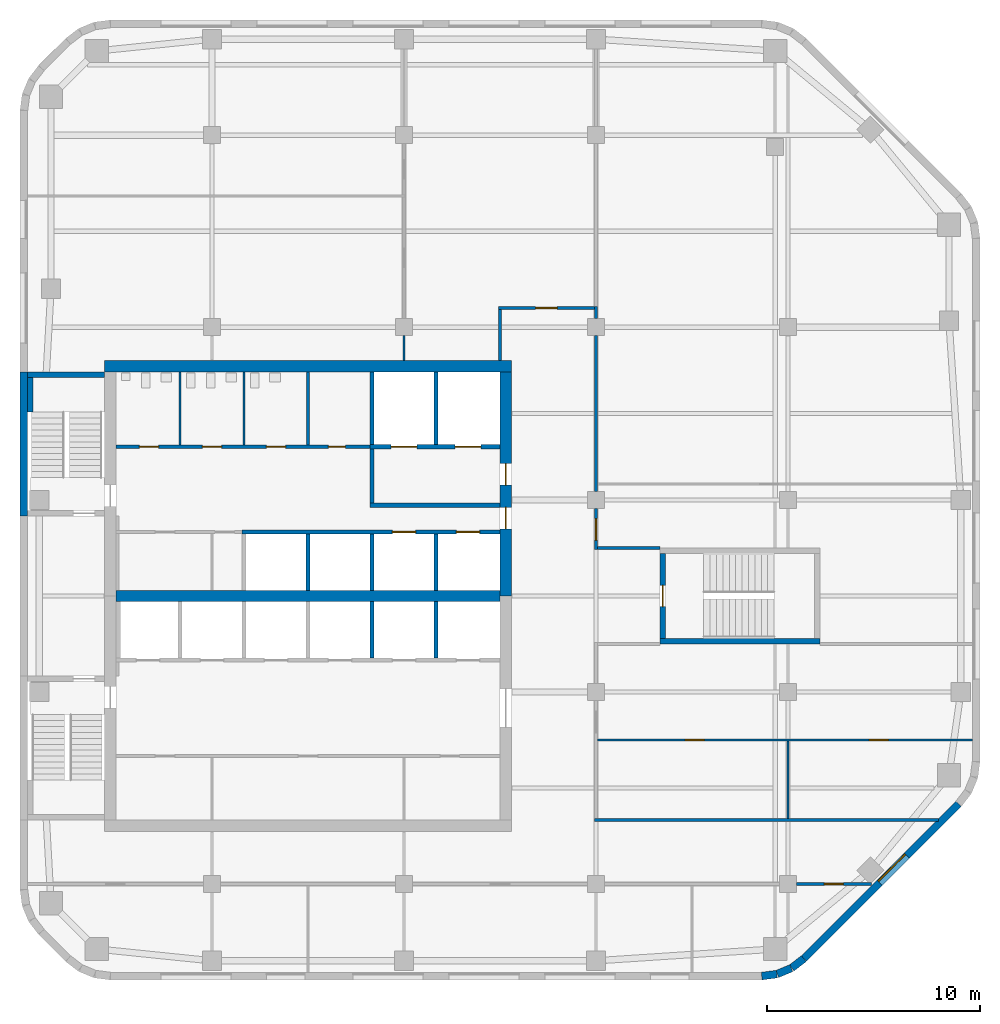
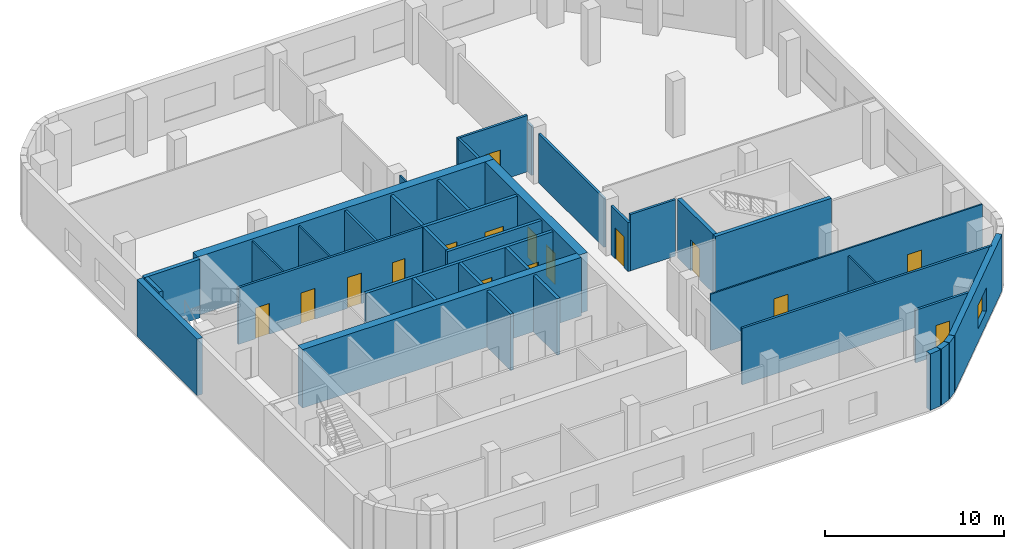
# One storey, part 4 of 7: 38 walls, 16 doors, 1 window, 17 openings.
"""IFC4 building model written with IfcOpenShell, lengths in metres."""

import ifcopenshell
import ifcopenshell.guid

model = None  # the IFC model being written
_history = None  # IfcOwnerHistory: only IFC2X3 demands one
_inside = {}  # id of a spatial element -> (the spatial element, [elements in it])
_under = {}  # id of a project, library or spatial element -> (it, [spatial elements below it])
_declared = {}  # id of a project -> (the project, [libraries it declares])
_typed = {}  # id of a type object -> (the type object, [elements of that type])
_made_of = {}  # id of a material, layer set ... -> (it, [elements and type objects made of it])


def new_model(schema):
    """Start an empty IFC model of exactly this schema.

    Asked for "IFC4X3", IfcOpenShell would pick the latest addendum, in which some entities
    have other attributes; the version numbers below select the first issue.
    IFC2X3 requires an IfcOwnerHistory on every rooted entity: one is made here for all.
    """
    global model, _history
    if schema == "IFC4X3":
        model = ifcopenshell.file(schema_version=(4, 3, 0, 0))
    else:
        model = ifcopenshell.file(schema=schema)
    _inside.clear()
    _under.clear()
    _declared.clear()
    _typed.clear()
    _made_of.clear()
    _history = None
    if model.schema == "IFC2X3":
        org = make("IfcOrganization", Name="unknown")
        user = make(
            "IfcPersonAndOrganization",
            ThePerson=make("IfcPerson", FamilyName="unknown"),
            TheOrganization=org,
        )
        app = make(
            "IfcApplication",
            ApplicationDeveloper=org,
            Version="unknown",
            ApplicationFullName="unknown",
            ApplicationIdentifier="unknown",
        )
        _history = make(
            "IfcOwnerHistory",
            OwningUser=user,
            OwningApplication=app,
            ChangeAction="ADDED",
            CreationDate=0,
        )
    return model


def make(cls, **values):
    """One entity of the class cls with the attributes given. An attribute that is None is left unset."""
    return model.create_entity(
        cls, **{name: value for name, value in values.items() if value is not None}
    )


def rooted(cls, **values):
    """An entity with a GlobalId (a new one), such as an element, a storey or a relation."""
    return make(cls, GlobalId=ifcopenshell.guid.new(), OwnerHistory=_history, **values)


def si_unit(unit_type, name, prefix=None):
    """IfcSIUnit, for example si_unit("LENGTHUNIT", "METRE", prefix="MILLI")."""
    return make("IfcSIUnit", UnitType=unit_type, Prefix=prefix, Name=name)


def assignment(units):
    """IfcUnitAssignment: the units of a project."""
    return None if units is None else make("IfcUnitAssignment", Units=units)


def point(xyz):
    """IfcCartesianPoint."""
    return None if xyz is None else make("IfcCartesianPoint", Coordinates=xyz)


def direction(xyz):
    """IfcDirection."""
    return None if xyz is None else make("IfcDirection", DirectionRatios=xyz)


def frame(location, z_axis=None, x_axis=None):
    """IfcAxis2Placement3D, a coordinate frame: its origin and axes. An axis left out is left unset."""
    return make(
        "IfcAxis2Placement3D",
        Location=point(location),
        Axis=direction(z_axis),
        RefDirection=direction(x_axis),
    )


def frame_2d(location, x_axis=None):
    """IfcAxis2Placement2D, a coordinate frame in the plane: its origin and x axis."""
    return make(
        "IfcAxis2Placement2D", Location=point(location), RefDirection=direction(x_axis)
    )


def origin():
    """The frame at (0, 0, 0) with its axes left unset."""
    return frame((0.0, 0.0, 0.0))


def place(relative_to, where):
    """IfcLocalPlacement: puts the frame where relative to a parent placement (None: the world)."""
    return make(
        "IfcLocalPlacement", PlacementRelTo=relative_to, RelativePlacement=where
    )


def context(
    kind, dimensions, precision=None, world=None, true_north=None, identifier=None
):
    """IfcGeometricRepresentationContext, for example the 3D "Model" context."""
    return make(
        "IfcGeometricRepresentationContext",
        ContextIdentifier=identifier,
        ContextType=kind,
        CoordinateSpaceDimension=dimensions,
        Precision=precision,
        WorldCoordinateSystem=world,
        TrueNorth=true_north,
    )


def subcontext(parent, identifier, kind, view, scale=None):
    """IfcGeometricRepresentationSubContext, for example "Body" below "Model"."""
    return make(
        "IfcGeometricRepresentationSubContext",
        ContextIdentifier=identifier,
        ContextType=kind,
        ParentContext=parent,
        TargetScale=scale,
        TargetView=view,
    )


def project(units=None, contexts=None):
    """IfcProject with its units and contexts."""
    return rooted(
        "IfcProject",
        Name="project",
        RepresentationContexts=contexts,
        UnitsInContext=assignment(units),
    )


def spatial(cls, under=None, at=None, **own):
    """A site, building, storey or space (cls), placed at a placement, below another one or the project."""
    s = rooted(cls, ObjectPlacement=at, **own)
    if under is not None:
        _under.setdefault(under.id(), (under, []))[1].append(s)
    return s


def profile(cls, at=None, kind="AREA", **sizes):
    """A parametric profile (cls). Its sizes go by their IFC names, for example OverallWidth=200.0."""
    return make(cls, ProfileType=kind, Position=at, **sizes)


def rectangle(**sizes):
    """IfcRectangleProfileDef."""
    return profile("IfcRectangleProfileDef", **sizes)


def extrude(swept, where, along, depth):
    """IfcExtrudedAreaSolid: the profile swept, set in the frame where, extruded along a direction by depth."""
    return make(
        "IfcExtrudedAreaSolid",
        SweptArea=swept,
        Position=where,
        ExtrudedDirection=direction(along),
        Depth=depth,
    )


def shape(context_of_items, identifier, shape_type, items):
    """IfcShapeRepresentation: the items that make up one representation, for example the "Body"."""
    return make(
        "IfcShapeRepresentation",
        ContextOfItems=context_of_items,
        RepresentationIdentifier=identifier,
        RepresentationType=shape_type,
        Items=items,
    )


def material(Name=None, Category=None):
    """IfcMaterial."""
    return make("IfcMaterial", Name=Name, Category=Category)


def layer(
    of_material, thickness, ventilated=None, Name=None, Category=None, Priority=None
):
    """IfcMaterialLayer: one layer of a wall or slab, of a material (None: an air gap)."""
    return make(
        "IfcMaterialLayer",
        Material=of_material,
        LayerThickness=thickness,
        IsVentilated=ventilated,
        Name=Name,
        Category=Category,
        Priority=Priority,
    )


def layer_set(layers, Name=None):
    """IfcMaterialLayerSet."""
    return make("IfcMaterialLayerSet", MaterialLayers=layers, LayerSetName=Name)


def made_of(thing, what):
    """Note that an element or type object is made of a material, layer set ...; save() writes the relation."""
    if what is not None:
        _made_of.setdefault(what.id(), (what, []))[1].append(thing)
    return thing


def type_object(cls, material=None, **own):
    """A type object (cls), such as IfcWallType, which elements share."""
    return made_of(rooted(cls, **own), material)


def element(
    cls,
    number,
    at=None,
    inside=None,
    cuts=None,
    type_object=None,
    material=None,
    context=None,
    identifier="Body",
    shape_type=None,
    held_by="IfcProductDefinitionShape",
    body=None,
    shapes=None,
    **own,
):
    """One element of the class cls, such as IfcWall. Its Tag is "e" and its number.

    at: its placement. inside: the storey or other place that contains it. cuts: it is an
    opening in that element (IfcRelVoidsElement). A single representation is given by context,
    identifier, shape_type and body (its items); several are given by shapes. held_by: the class
    of the entity that holds the representations. save() writes the other relations.
    """
    e = rooted(cls, Tag="e%d" % number, ObjectPlacement=at, **own)
    if body is not None:
        shapes = [shape(context, identifier, shape_type, body)]
    if shapes is not None:
        e.Representation = make(held_by, Representations=shapes)
    if inside is not None:
        _inside.setdefault(inside.id(), (inside, []))[1].append(e)
    if cuts is not None:
        rooted(
            "IfcRelVoidsElement", RelatingBuildingElement=cuts, RelatedOpeningElement=e
        )
    if type_object is not None:
        _typed.setdefault(type_object.id(), (type_object, []))[1].append(e)
    return made_of(e, material)


def fill(opening, filler):
    """IfcRelFillsElement: the door or window that sits in an opening."""
    return rooted(
        "IfcRelFillsElement",
        RelatingOpeningElement=opening,
        RelatedBuildingElement=filler,
    )


def aggregate(whole, parts):
    """IfcRelAggregates: a whole, such as a stair, and the parts it consists of."""
    return rooted("IfcRelAggregates", RelatingObject=whole, RelatedObjects=parts)


def save(model, path):
    """Write the relations noted so far, then the file.

    IfcRelAggregates (storeys below a building ...), IfcRelContainedInSpatialStructure (elements
    in a storey), IfcRelDefinesByType, IfcRelAssociatesMaterial and IfcRelDeclares: one each for
    every whole, place, type object, material and project.
    """
    for whole, parts in _under.values():
        aggregate(whole, parts)
    for where, things in _inside.values():
        rooted(
            "IfcRelContainedInSpatialStructure",
            RelatedElements=things,
            RelatingStructure=where,
        )
    for kind, things in _typed.values():
        rooted("IfcRelDefinesByType", RelatedObjects=things, RelatingType=kind)
    for what, things in _made_of.values():
        rooted("IfcRelAssociatesMaterial", RelatedObjects=things, RelatingMaterial=what)
    for by, libraries in _declared.values():
        rooted("IfcRelDeclares", RelatingContext=by, RelatedDefinitions=libraries)
    model.write(path)


model = new_model("IFC4")

# Units and contexts
model_context = context("Model", 3, precision=1e-05, world=origin(), true_north=direction((0.0, 1.0)))
body_context = subcontext(model_context, "Body", "Model", "MODEL_VIEW")
ifc_project = project(units=[si_unit("LENGTHUNIT", "METRE"), si_unit("AREAUNIT", "SQUARE_METRE"), si_unit("VOLUMEUNIT", "CUBIC_METRE"), si_unit("PLANEANGLEUNIT", "RADIAN"), si_unit("MASSUNIT", "GRAM", prefix="KILO")], contexts=[model_context])

# Site, building, storey
site_placement = place(None, origin())
site = spatial("IfcSite", under=ifc_project, at=site_placement, CompositionType="ELEMENT")
building_placement = place(site_placement, origin())
building = spatial("IfcBuilding", under=site, at=building_placement, Name="Cinnabar Reach Civic Tower", CompositionType="ELEMENT")
storey_placement = place(building_placement, frame((0.0, 0.0, 218.0)))
storey = spatial("IfcBuildingStorey", under=building, at=storey_placement, Name="L52", CompositionType="ELEMENT", Elevation=218.0)

# Walls
ifc_material_1 = material(Name="Facing brick with insulated backing", Category="masonry")
ifc_layer_1 = layer(ifc_material_1, 0.36)
ifc_layer_set_1 = layer_set([ifc_layer_1], Name="Brick corner wall")
wall_type_1 = type_object("IfcWallType", Name="Brick corner wall", PredefinedType="STANDARD", material=ifc_layer_set_1)
for number, where, z_axis, x_axis, name in (
    (1, (34.7686, 13.683, 0.0), (0.0, 0.0, 1.0), (0.99144092581, 0.13055608231, 0.0), "Brick corner wall"),
    (2, (35.4973, 13.7819, 0.0), (0.0, 0.0, 1.0), (0.923871547278, 0.382702709855, 0.0), "Brick corner wall"),
):
    element("IfcWall", number, at=place(storey_placement, frame(where, z_axis=z_axis, x_axis=x_axis)), inside=storey, type_object=wall_type_1, Name=name, PredefinedType="STANDARD", context=body_context, shape_type="SweptSolid", body=[
        extrude(rectangle(XDim=0.7131, YDim=0.36, at=frame_2d((0.3565, 0.0))), origin(), (0.0, 0.0, 1.0), 3.85),
    ])
wall_1_placement = place(storey_placement, frame((36.1755, 14.066, 0.0), z_axis=(0.0, 0.0, 1.0), x_axis=(0.793321924995, 0.608802368033, 0.0)))
element("IfcWall", 3, at=wall_1_placement, inside=storey, type_object=wall_type_1, Name="Brick corner wall", PredefinedType="STANDARD", context=body_context, shape_type="SweptSolid", body=[
    extrude(rectangle(XDim=0.7132, YDim=0.36, at=frame_2d((0.3566, 0.0))), origin(), (0.0, 0.0, 1.0), 3.85),
])

# Wall, opening, window
ifc_layer_2 = layer(ifc_material_1, 0.36)
ifc_layer_set_2 = layer_set([ifc_layer_2], Name="Brick pier and spandrel wall")
wall_type_2 = type_object("IfcWallType", Name="Brick pier and spandrel wall", PredefinedType="STANDARD", material=ifc_layer_set_2)
wall_2_placement = place(storey_placement, frame((36.7514, 14.506, 0.0), z_axis=(0.0, 0.0, 1.0), x_axis=(0.707106781187, 0.707106781187, 0.0)))
wall_2 = element("IfcWall", 4, at=wall_2_placement, inside=storey, type_object=wall_type_2, Name="Brick facade wall", PredefinedType="STANDARD", context=body_context, shape_type="SweptSolid", body=[
    extrude(rectangle(XDim=10.2426, YDim=0.36, at=frame_2d((5.1213, 0.0))), origin(), (0.0, 0.0, 1.0), 3.85),
])
opening_1_placement = place(wall_2_placement, frame((5.0213, 0.0, 0.9)))
opening_1 = element("IfcOpeningElement", 5, at=opening_1_placement, cuts=wall_2, Name="Opening W2066", PredefinedType="OPENING", context=body_context, shape_type="SweptSolid", body=[
    extrude(rectangle(XDim=1.8, YDim=1.6, at=frame_2d((0.9, 0.8))), frame((0.0, 0.19, 0.0), z_axis=(0.0, -1.0, 0.0), x_axis=(1.0, 0.0, 0.0)), (0.0, 0.0, 1.0), 0.38),
])
ifc_material_2 = material(Name="Clear double glazing in aluminium frame", Category="aluminium")
window_type = type_object("IfcWindowType", Name="Deep-set window D", PartitioningType="SINGLE_PANEL", PredefinedType="WINDOW", material=ifc_material_2)
window_placement = place(opening_1_placement, origin())
window = element("IfcWindow", 6, at=window_placement, inside=storey, type_object=window_type, Name="Window southeast face", OverallHeight=1.6, OverallWidth=1.8, PartitioningType="SINGLE_PANEL", PredefinedType="WINDOW", context=body_context, shape_type="SweptSolid", body=[
    extrude(rectangle(XDim=1.8, YDim=1.6, at=frame_2d((0.9, 0.8))), frame((0.0, 0.13, 0.0), z_axis=(0.0, -1.0, 0.0), x_axis=(1.0, 0.0, 0.0)), (0.0, 0.0, 1.0), 0.06),
])
fill(opening_1, window)

# Walls
wall_3_placement = place(storey_placement, frame((0.18, 42.0, 0.0), z_axis=(0.0, 0.0, 1.0), x_axis=(0.0, -1.0, 0.0)))
element("IfcWall", 7, at=wall_3_placement, inside=storey, type_object=wall_type_2, Name="Brick facade wall", PredefinedType="STANDARD", context=body_context, shape_type="SweptSolid", body=[
    extrude(rectangle(XDim=6.75, YDim=0.36, at=frame_2d((3.375, 0.0))), origin(), (0.0, 0.0, 1.0), 3.85),
])
ifc_material_3 = material(Name="Concrete C60", Category="concrete")
ifc_layer_3 = layer(ifc_material_3, 0.5)
ifc_layer_set_3 = layer_set([ifc_layer_3], Name="Core wall 500 EI 180")
wall_type_3 = type_object("IfcWallType", Name="Core wall 500 EI 180", PredefinedType="SOLIDWALL", material=ifc_layer_set_3)
wall_4_placement = place(storey_placement, frame((4.5, 31.5, 0.0), z_axis=(0.0, 0.0, 1.0), x_axis=(1.0, 0.0, 0.0)))
element("IfcWall", 8, at=wall_4_placement, inside=storey, type_object=wall_type_3, Name="Core spine wall T1 L52", PredefinedType="SOLIDWALL", context=body_context, shape_type="SweptSolid", body=[
    extrude(rectangle(XDim=18.0, YDim=0.5, at=frame_2d((9.0, 0.0))), origin(), (0.0, 0.0, 1.0), 4.0),
])
ifc_layer_4 = layer(ifc_material_3, 0.55)
ifc_layer_set_4 = layer_set([ifc_layer_4], Name="Core wall 550 EI 180")
wall_type_4 = type_object("IfcWallType", Name="Core wall 550 EI 180", PredefinedType="SOLIDWALL", material=ifc_layer_set_4)
wall_5_placement = place(storey_placement, frame((23.05, 42.275, 0.0), z_axis=(0.0, 0.0, 1.0), x_axis=(-1.0, 0.0, 0.0)))
element("IfcWall", 9, at=wall_5_placement, inside=storey, type_object=wall_type_4, Name="Core wall T1 L52 N", PredefinedType="SOLIDWALL", context=body_context, shape_type="SweptSolid", body=[
    extrude(rectangle(XDim=19.1, YDim=0.55, at=frame_2d((9.55, 0.0))), origin(), (0.0, 0.0, 1.0), 4.0),
])

# Wall, openings, doors
wall_6_placement = place(storey_placement, frame((22.775, 31.5, 0.0), z_axis=(0.0, 0.0, 1.0), x_axis=(0.0, 1.0, 0.0)))
wall_6 = element("IfcWall", 10, at=wall_6_placement, inside=storey, type_object=wall_type_4, Name="Core wall T1 L52 E2", PredefinedType="SOLIDWALL", context=body_context, shape_type="SweptSolid", body=[
    extrude(rectangle(XDim=10.5, YDim=0.55, at=frame_2d((5.25, 0.0))), origin(), (0.0, 0.0, 1.0), 4.0),
])
opening_2_placement = place(wall_6_placement, frame((3.15, 0.0, 0.0)))
opening_2 = element("IfcOpeningElement", 11, at=opening_2_placement, cuts=wall_6, Name="Opening D5124", PredefinedType="OPENING", context=body_context, shape_type="SweptSolid", body=[
    extrude(rectangle(XDim=1.0, YDim=2.1, at=frame_2d((0.5, 1.05))), frame((0.0, 0.285, 0.0), z_axis=(0.0, -1.0, 0.0), x_axis=(1.0, 0.0, 0.0)), (0.0, 0.0, 1.0), 0.57),
])
opening_3_placement = place(wall_6_placement, frame((5.2, 0.0, 0.0)))
opening_3 = element("IfcOpeningElement", 12, at=opening_3_placement, cuts=wall_6, Name="Opening D5125", PredefinedType="OPENING", context=body_context, shape_type="SweptSolid", body=[
    extrude(rectangle(XDim=1.0, YDim=2.1, at=frame_2d((0.5, 1.05))), frame((0.0, 0.285, 0.0), z_axis=(0.0, -1.0, 0.0), x_axis=(1.0, 0.0, 0.0)), (0.0, 0.0, 1.0), 0.57),
])
ifc_material_4 = material(Name="Timber door leaf in steel frame", Category="steel")
door_type_1 = type_object("IfcDoorType", Name="Firefighting lobby door 1000 x 2100 T1", OperationType="SINGLE_SWING_LEFT", PredefinedType="DOOR", material=ifc_material_4)
door_1_placement = place(opening_3_placement, origin())
door_1 = element("IfcDoor", 13, at=door_1_placement, inside=storey, type_object=door_type_1, Name="Door D5125", OperationType="SINGLE_SWING_RIGHT", OverallHeight=2.1, OverallWidth=1.0, PredefinedType="DOOR", context=body_context, shape_type="SweptSolid", body=[
    extrude(rectangle(XDim=1.0, YDim=2.1, at=frame_2d((0.5, 1.05))), frame((0.0, 0.025, 0.0), z_axis=(0.0, -1.0, 0.0), x_axis=(1.0, 0.0, 0.0)), (0.0, 0.0, 1.0), 0.05),
])
fill(opening_3, door_1)
door_type_2 = type_object("IfcDoorType", Name="Single swing door 1000 x 2100 T1", OperationType="SINGLE_SWING_LEFT", PredefinedType="DOOR", material=ifc_material_4)
door_2_placement = place(opening_2_placement, origin())
door_2 = element("IfcDoor", 14, at=door_2_placement, inside=storey, type_object=door_type_2, Name="Door D5124", OperationType="SINGLE_SWING_RIGHT", OverallHeight=2.1, OverallWidth=1.0, PredefinedType="DOOR", context=body_context, shape_type="SweptSolid", body=[
    extrude(rectangle(XDim=1.0, YDim=2.1, at=frame_2d((0.5, 1.05))), frame((0.0, 0.025, 0.0), z_axis=(0.0, -1.0, 0.0), x_axis=(1.0, 0.0, 0.0)), (0.0, 0.0, 1.0), 0.05),
])
fill(opening_2, door_2)

# Wall, opening, door
ifc_material_5 = material(Name="Gypsum board on steel studs, double layer", Category="steel")
ifc_layer_5 = layer(ifc_material_5, 0.15)
ifc_layer_set_5 = layer_set([ifc_layer_5], Name="Corridor wall 150 T1")
wall_type_5 = type_object("IfcWallType", Name="Corridor wall 150 T1", PredefinedType="PARTITIONING", material=ifc_layer_set_5)
wall_7_placement = place(storey_placement, frame((36.4, 18.0, 0.0), z_axis=(0.0, 0.0, 1.0), x_axis=(1.0, 0.0, 0.0)))
wall_7 = element("IfcWall", 15, at=wall_7_placement, inside=storey, type_object=wall_type_5, Name="Corridor wall 18", PredefinedType="PARTITIONING", context=body_context, shape_type="SweptSolid", body=[
    extrude(rectangle(XDim=3.516, YDim=0.15, at=frame_2d((1.758, 0.0))), origin(), (0.0, 0.0, 1.0), 3.602),
])
opening_4_placement = place(wall_7_placement, frame((1.3, 0.0, 0.0)))
opening_4 = element("IfcOpeningElement", 16, at=opening_4_placement, cuts=wall_7, Name="Opening D5143", PredefinedType="OPENING", context=body_context, shape_type="SweptSolid", body=[
    extrude(rectangle(XDim=0.9, YDim=2.1, at=frame_2d((0.45, 1.05))), frame((0.0, 0.085, 0.0), z_axis=(0.0, -1.0, 0.0), x_axis=(1.0, 0.0, 0.0)), (0.0, 0.0, 1.0), 0.17),
])
door_type_3 = type_object("IfcDoorType", Name="Single swing door 900 x 2100 corridor T1", OperationType="SINGLE_SWING_LEFT", PredefinedType="DOOR", material=ifc_material_4)
door_3_placement = place(opening_4_placement, frame((0.9, 0.0, 0.0), z_axis=(0.0, 0.0, 1.0), x_axis=(-1.0, 0.0, 0.0)))
door_3 = element("IfcDoor", 17, at=door_3_placement, inside=storey, type_object=door_type_3, Name="Door D5143", OperationType="SINGLE_SWING_RIGHT", OverallHeight=2.1, OverallWidth=0.9, PredefinedType="DOOR", context=body_context, shape_type="SweptSolid", body=[
    extrude(rectangle(XDim=0.9, YDim=2.1, at=frame_2d((0.45, 1.05))), frame((0.0, 0.025, 0.0), z_axis=(0.0, -1.0, 0.0), x_axis=(1.0, 0.0, 0.0)), (0.0, 0.0, 1.0), 0.05),
])
fill(opening_4, door_3)

# Wall
wall_8_placement = place(storey_placement, frame((26.925, 21.0, 0.0), z_axis=(0.0, 0.0, 1.0), x_axis=(1.0, 0.0, 0.0)))
element("IfcWall", 18, at=wall_8_placement, inside=storey, type_object=wall_type_5, Name="Corridor wall 24", PredefinedType="PARTITIONING", context=body_context, shape_type="SweptSolid", body=[
    extrude(rectangle(XDim=16.1409, YDim=0.15, at=frame_2d((8.0704, 0.0))), origin(), (0.0, 0.0, 1.0), 3.85),
])

# Wall, openings, doors
wall_9_placement = place(storey_placement, frame((4.5, 38.5, 0.0), z_axis=(0.0, 0.0, 1.0), x_axis=(1.0, 0.0, 0.0)))
wall_9 = element("IfcWall", 19, at=wall_9_placement, inside=storey, type_object=wall_type_5, Name="Corridor wall 25", PredefinedType="PARTITIONING", context=body_context, shape_type="SweptSolid", body=[
    extrude(rectangle(XDim=11.9, YDim=0.15, at=frame_2d((5.95, 0.0))), origin(), (0.0, 0.0, 1.0), 3.85),
])
opening_5_placement = place(wall_9_placement, frame((1.1, 0.0, 0.0)))
opening_5 = element("IfcOpeningElement", 20, at=opening_5_placement, cuts=wall_9, Name="Opening D5132", PredefinedType="OPENING", context=body_context, shape_type="SweptSolid", body=[
    extrude(rectangle(XDim=0.9, YDim=2.1, at=frame_2d((0.45, 1.05))), frame((0.0, 0.085, 0.0), z_axis=(0.0, -1.0, 0.0), x_axis=(1.0, 0.0, 0.0)), (0.0, 0.0, 1.0), 0.17),
])
opening_6_placement = place(wall_9_placement, frame((4.05, 0.0, 0.0)))
opening_6 = element("IfcOpeningElement", 21, at=opening_6_placement, cuts=wall_9, Name="Opening D5133", PredefinedType="OPENING", context=body_context, shape_type="SweptSolid", body=[
    extrude(rectangle(XDim=0.9, YDim=2.1, at=frame_2d((0.45, 1.05))), frame((0.0, 0.085, 0.0), z_axis=(0.0, -1.0, 0.0), x_axis=(1.0, 0.0, 0.0)), (0.0, 0.0, 1.0), 0.17),
])
opening_7_placement = place(wall_9_placement, frame((7.05, 0.0, 0.0)))
opening_7 = element("IfcOpeningElement", 22, at=opening_7_placement, cuts=wall_9, Name="Opening D5134", PredefinedType="OPENING", context=body_context, shape_type="SweptSolid", body=[
    extrude(rectangle(XDim=0.9, YDim=2.1, at=frame_2d((0.45, 1.05))), frame((0.0, 0.085, 0.0), z_axis=(0.0, -1.0, 0.0), x_axis=(1.0, 0.0, 0.0)), (0.0, 0.0, 1.0), 0.17),
])
opening_8_placement = place(wall_9_placement, frame((9.95, 0.0, 0.0)))
opening_8 = element("IfcOpeningElement", 23, at=opening_8_placement, cuts=wall_9, Name="Opening D5135", PredefinedType="OPENING", context=body_context, shape_type="SweptSolid", body=[
    extrude(rectangle(XDim=0.8, YDim=2.1, at=frame_2d((0.4, 1.05))), frame((0.0, 0.085, 0.0), z_axis=(0.0, -1.0, 0.0), x_axis=(1.0, 0.0, 0.0)), (0.0, 0.0, 1.0), 0.17),
])
door_type_4 = type_object("IfcDoorType", Name="Riser access door 800 x 2100 T1", OperationType="SINGLE_SWING_LEFT", PredefinedType="DOOR", material=ifc_material_4)
door_4_placement = place(opening_8_placement, origin())
door_4 = element("IfcDoor", 24, at=door_4_placement, inside=storey, type_object=door_type_4, Name="Door D5135", OperationType="SINGLE_SWING_RIGHT", OverallHeight=2.1, OverallWidth=0.8, PredefinedType="DOOR", context=body_context, shape_type="SweptSolid", body=[
    extrude(rectangle(XDim=0.8, YDim=2.1, at=frame_2d((0.4, 1.05))), frame((0.0, 0.025, 0.0), z_axis=(0.0, -1.0, 0.0), x_axis=(1.0, 0.0, 0.0)), (0.0, 0.0, 1.0), 0.05),
])
fill(opening_8, door_4)
door_5_placement = place(opening_5_placement, origin())
door_5 = element("IfcDoor", 25, at=door_5_placement, inside=storey, type_object=door_type_3, Name="Door D5132", OperationType="SINGLE_SWING_LEFT", OverallHeight=2.1, OverallWidth=0.9, PredefinedType="DOOR", context=body_context, shape_type="SweptSolid", body=[
    extrude(rectangle(XDim=0.9, YDim=2.1, at=frame_2d((0.45, 1.05))), frame((0.0, 0.025, 0.0), z_axis=(0.0, -1.0, 0.0), x_axis=(1.0, 0.0, 0.0)), (0.0, 0.0, 1.0), 0.05),
])
fill(opening_5, door_5)
door_6_placement = place(opening_6_placement, origin())
door_6 = element("IfcDoor", 26, at=door_6_placement, inside=storey, type_object=door_type_3, Name="Door D5133", OperationType="SINGLE_SWING_LEFT", OverallHeight=2.1, OverallWidth=0.9, PredefinedType="DOOR", context=body_context, shape_type="SweptSolid", body=[
    extrude(rectangle(XDim=0.9, YDim=2.1, at=frame_2d((0.45, 1.05))), frame((0.0, 0.025, 0.0), z_axis=(0.0, -1.0, 0.0), x_axis=(1.0, 0.0, 0.0)), (0.0, 0.0, 1.0), 0.05),
])
fill(opening_6, door_6)
door_7_placement = place(opening_7_placement, origin())
door_7 = element("IfcDoor", 27, at=door_7_placement, inside=storey, type_object=door_type_3, Name="Door D5134", OperationType="SINGLE_SWING_LEFT", OverallHeight=2.1, OverallWidth=0.9, PredefinedType="DOOR", context=body_context, shape_type="SweptSolid", body=[
    extrude(rectangle(XDim=0.9, YDim=2.1, at=frame_2d((0.45, 1.05))), frame((0.0, 0.025, 0.0), z_axis=(0.0, -1.0, 0.0), x_axis=(1.0, 0.0, 0.0)), (0.0, 0.0, 1.0), 0.05),
])
fill(opening_7, door_7)

# Wall, opening, door
wall_10_placement = place(storey_placement, frame((27.0, 33.675, 0.0), z_axis=(0.0, 0.0, 1.0), x_axis=(0.0, 1.0, 0.0)))
wall_10 = element("IfcWall", 28, at=wall_10_placement, inside=storey, type_object=wall_type_5, Name="Corridor wall 26", PredefinedType="PARTITIONING", context=body_context, shape_type="SweptSolid", body=[
    extrude(rectangle(XDim=1.925, YDim=0.15, at=frame_2d((0.9625, 0.0))), origin(), (0.0, 0.0, 1.0), 3.35),
])
opening_9_placement = place(wall_10_placement, frame((0.45, 0.0, 0.0)))
opening_9 = element("IfcOpeningElement", 29, at=opening_9_placement, cuts=wall_10, Name="Opening D5136", PredefinedType="OPENING", context=body_context, shape_type="SweptSolid", body=[
    extrude(rectangle(XDim=1.0, YDim=2.1, at=frame_2d((0.5, 1.05))), frame((0.0, 0.085, 0.0), z_axis=(0.0, -1.0, 0.0), x_axis=(1.0, 0.0, 0.0)), (0.0, 0.0, 1.0), 0.17),
])
door_type_5 = type_object("IfcDoorType", Name="Tenancy entrance door 1000 x 2100 T1", OperationType="SINGLE_SWING_LEFT", PredefinedType="DOOR", material=ifc_material_4)
door_8_placement = place(opening_9_placement, frame((1.0, 0.0, 0.0), z_axis=(0.0, 0.0, 1.0), x_axis=(-1.0, 0.0, 0.0)))
door_8 = element("IfcDoor", 30, at=door_8_placement, inside=storey, type_object=door_type_5, Name="Door D5136", OperationType="SINGLE_SWING_RIGHT", OverallHeight=2.1, OverallWidth=1.0, PredefinedType="DOOR", context=body_context, shape_type="SweptSolid", body=[
    extrude(rectangle(XDim=1.0, YDim=2.1, at=frame_2d((0.5, 1.05))), frame((0.0, 0.025, 0.0), z_axis=(0.0, -1.0, 0.0), x_axis=(1.0, 0.0, 0.0)), (0.0, 0.0, 1.0), 0.05),
])
fill(opening_9, door_8)

# Walls
wall_11_placement = place(storey_placement, frame((27.0, 36.4, 0.0), z_axis=(0.0, 0.0, 1.0), x_axis=(0.0, 1.0, 0.0)))
element("IfcWall", 31, at=wall_11_placement, inside=storey, type_object=wall_type_5, Name="Corridor wall 27", PredefinedType="PARTITIONING", context=body_context, shape_type="SweptSolid", body=[
    extrude(rectangle(XDim=7.3, YDim=0.15, at=frame_2d((3.65, 0.0))), origin(), (0.0, 0.0, 1.0), 3.35),
])
wall_12_placement = place(storey_placement, frame((27.0, 44.5, 0.0), z_axis=(0.0, 0.0, 1.0), x_axis=(0.0, 1.0, 0.0)))
element("IfcWall", 32, at=wall_12_placement, inside=storey, type_object=wall_type_5, Name="Corridor wall 28", PredefinedType="PARTITIONING", context=body_context, shape_type="SweptSolid", body=[
    extrude(rectangle(XDim=0.575, YDim=0.15, at=frame_2d((0.2875, 0.0))), origin(), (0.0, 0.0, 1.0), 3.35),
])

# Wall, opening, door
wall_13_placement = place(storey_placement, frame((22.425, 45.0, 0.0), z_axis=(0.0, 0.0, 1.0), x_axis=(1.0, 0.0, 0.0)))
wall_13 = element("IfcWall", 33, at=wall_13_placement, inside=storey, type_object=wall_type_5, Name="Corridor wall 32", PredefinedType="PARTITIONING", context=body_context, shape_type="SweptSolid", body=[
    extrude(rectangle(XDim=4.5, YDim=0.15, at=frame_2d((2.25, 0.0))), origin(), (0.0, 0.0, 1.0), 3.85),
])
opening_10_placement = place(wall_13_placement, frame((1.75, 0.0, 0.0)))
opening_10 = element("IfcOpeningElement", 34, at=opening_10_placement, cuts=wall_13, Name="Opening D5144", PredefinedType="OPENING", context=body_context, shape_type="SweptSolid", body=[
    extrude(rectangle(XDim=1.0, YDim=2.1, at=frame_2d((0.5, 1.05))), frame((0.0, 0.085, 0.0), z_axis=(0.0, -1.0, 0.0), x_axis=(1.0, 0.0, 0.0)), (0.0, 0.0, 1.0), 0.17),
])
door_9_placement = place(opening_10_placement, origin())
door_9 = element("IfcDoor", 35, at=door_9_placement, inside=storey, type_object=door_type_5, Name="Door D5144", OperationType="SINGLE_SWING_LEFT", OverallHeight=2.1, OverallWidth=1.0, PredefinedType="DOOR", context=body_context, shape_type="SweptSolid", body=[
    extrude(rectangle(XDim=1.0, YDim=2.1, at=frame_2d((0.5, 1.05))), frame((0.0, 0.025, 0.0), z_axis=(0.0, -1.0, 0.0), x_axis=(1.0, 0.0, 0.0)), (0.0, 0.0, 1.0), 0.05),
])
fill(opening_10, door_9)

# Walls
wall_14_placement = place(storey_placement, frame((27.075, 33.75, 0.0), z_axis=(0.0, 0.0, 1.0), x_axis=(1.0, 0.0, 0.0)))
element("IfcWall", 36, at=wall_14_placement, inside=storey, type_object=wall_type_5, Name="Corridor wall 36", PredefinedType="PARTITIONING", context=body_context, shape_type="SweptSolid", body=[
    extrude(rectangle(XDim=2.925, YDim=0.15, at=frame_2d((1.4625, 0.0))), origin(), (0.0, 0.0, 1.0), 3.85),
])
wall_15_placement = place(storey_placement, frame((22.5, 42.55, 0.0), z_axis=(0.0, 0.0, 1.0), x_axis=(0.0, 1.0, 0.0)))
element("IfcWall", 37, at=wall_15_placement, inside=storey, type_object=wall_type_5, Name="Corridor wall 37", PredefinedType="PARTITIONING", context=body_context, shape_type="SweptSolid", body=[
    extrude(rectangle(XDim=2.375, YDim=0.15, at=frame_2d((1.1875, 0.0))), origin(), (0.0, 0.0, 1.0), 3.85),
])

# Wall, openings, doors
ifc_material_6 = material(Name="Blockwork", Category="masonry")
ifc_layer_6 = layer(ifc_material_6, 0.2)
ifc_layer_set_6 = layer_set([ifc_layer_6], Name="Lift shaft wall 200 T1")
wall_type_6 = type_object("IfcWallType", Name="Lift shaft wall 200 T1", PredefinedType="PARTITIONING", material=ifc_layer_set_6)
wall_16_placement = place(storey_placement, frame((10.4, 34.5, 0.0), z_axis=(0.0, 0.0, 1.0), x_axis=(1.0, 0.0, 0.0)))
wall_16 = element("IfcWall", 38, at=wall_16_placement, inside=storey, type_object=wall_type_6, Name="Lift shaft wall 5", PredefinedType="PARTITIONING", context=body_context, shape_type="SweptSolid", body=[
    extrude(rectangle(XDim=12.1, YDim=0.2, at=frame_2d((6.05, 0.0))), origin(), (0.0, 0.0, 1.0), 3.85),
])
opening_11_placement = place(wall_16_placement, frame((7.05, 0.0, 0.0)))
opening_11 = element("IfcOpeningElement", 39, at=opening_11_placement, cuts=wall_16, Name="Opening D5119", PredefinedType="OPENING", context=body_context, shape_type="SweptSolid", body=[
    extrude(rectangle(XDim=1.1, YDim=2.1, at=frame_2d((0.55, 1.05))), frame((0.0, 0.11, 0.0), z_axis=(0.0, -1.0, 0.0), x_axis=(1.0, 0.0, 0.0)), (0.0, 0.0, 1.0), 0.22),
])
opening_12_placement = place(wall_16_placement, frame((10.05, 0.0, 0.0)))
opening_12 = element("IfcOpeningElement", 40, at=opening_12_placement, cuts=wall_16, Name="Opening D5120", PredefinedType="OPENING", context=body_context, shape_type="SweptSolid", body=[
    extrude(rectangle(XDim=1.1, YDim=2.1, at=frame_2d((0.55, 1.05))), frame((0.0, 0.11, 0.0), z_axis=(0.0, -1.0, 0.0), x_axis=(1.0, 0.0, 0.0)), (0.0, 0.0, 1.0), 0.22),
])
ifc_material_7 = material(Name="Stainless steel sliding door", Category="steel")
door_type_6 = type_object("IfcDoorType", Name="Lift landing door 1100 x 2100 T1", OperationType="SLIDING_TO_LEFT", PredefinedType="DOOR", material=ifc_material_7)
door_10_placement = place(opening_11_placement, origin())
door_10 = element("IfcDoor", 41, at=door_10_placement, inside=storey, type_object=door_type_6, Name="Lift landing door SV1 L52", OperationType="SLIDING_TO_LEFT", OverallHeight=2.1, OverallWidth=1.1, PredefinedType="DOOR", context=body_context, shape_type="SweptSolid", body=[
    extrude(rectangle(XDim=1.1, YDim=2.1, at=frame_2d((0.55, 1.05))), frame((0.0, 0.025, 0.0), z_axis=(0.0, -1.0, 0.0), x_axis=(1.0, 0.0, 0.0)), (0.0, 0.0, 1.0), 0.05),
])
fill(opening_11, door_10)
door_11_placement = place(opening_12_placement, origin())
door_11 = element("IfcDoor", 42, at=door_11_placement, inside=storey, type_object=door_type_6, Name="Lift landing door SV2 L52", OperationType="SLIDING_TO_LEFT", OverallHeight=2.1, OverallWidth=1.1, PredefinedType="DOOR", context=body_context, shape_type="SweptSolid", body=[
    extrude(rectangle(XDim=1.1, YDim=2.1, at=frame_2d((0.55, 1.05))), frame((0.0, 0.025, 0.0), z_axis=(0.0, -1.0, 0.0), x_axis=(1.0, 0.0, 0.0)), (0.0, 0.0, 1.0), 0.05),
])
fill(opening_12, door_11)

# Walls
for number, where, z_axis, x_axis, name in (
    (43, (13.5, 31.75, 0.0), (0.0, 0.0, 1.0), (0.0, 1.0, 0.0), "Lift shaft wall 9"),
    (44, (16.5, 28.6, 0.0), (0.0, 0.0, 1.0), (0.0, 1.0, 0.0), "Lift shaft wall 10"),
    (45, (16.5, 31.75, 0.0), (0.0, 0.0, 1.0), (0.0, 1.0, 0.0), "Lift shaft wall 11"),
    (46, (19.5, 28.6, 0.0), (0.0, 0.0, 1.0), (0.0, 1.0, 0.0), "Lift shaft wall 12"),
    (47, (19.5, 31.75, 0.0), (0.0, 0.0, 1.0), (0.0, 1.0, 0.0), "Lift shaft wall 13"),
):
    element("IfcWall", number, at=place(storey_placement, frame(where, z_axis=z_axis, x_axis=x_axis)), inside=storey, type_object=wall_type_6, Name=name, PredefinedType="PARTITIONING", context=body_context, shape_type="SweptSolid", body=[
        extrude(rectangle(XDim=2.65, YDim=0.2, at=frame_2d((1.325, 0.0))), origin(), (0.0, 0.0, 1.0), 3.85),
    ])
for number, where, z_axis, x_axis, name in (
    (48, (16.5, 38.6, 0.0), (0.0, 0.0, 1.0), (0.0, 1.0, 0.0), "Lift shaft wall 14"),
    (49, (19.5, 38.6, 0.0), (0.0, 0.0, 1.0), (0.0, 1.0, 0.0), "Lift shaft wall 15"),
):
    element("IfcWall", number, at=place(storey_placement, frame(where, z_axis=z_axis, x_axis=x_axis)), inside=storey, type_object=wall_type_6, Name=name, PredefinedType="PARTITIONING", context=body_context, shape_type="SweptSolid", body=[
        extrude(rectangle(XDim=3.4, YDim=0.2, at=frame_2d((1.7, 0.0))), origin(), (0.0, 0.0, 1.0), 3.85),
    ])

# Wall, openings, doors
ifc_material_8 = material(Name="Gypsum board on steel studs", Category="steel")
ifc_layer_7 = layer(ifc_material_8, 0.1)
ifc_layer_set_7 = layer_set([ifc_layer_7], Name="Partition wall 100 T1")
wall_type_7 = type_object("IfcWallType", Name="Partition wall 100 T1", PredefinedType="PARTITIONING", material=ifc_layer_set_7)
wall_17_placement = place(storey_placement, frame((27.075, 24.75, 0.0), z_axis=(0.0, 0.0, 1.0), x_axis=(1.0, 0.0, 0.0)))
wall_17 = element("IfcWall", 50, at=wall_17_placement, inside=storey, type_object=wall_type_7, Name="Partition wall 43", PredefinedType="PARTITIONING", context=body_context, shape_type="SweptSolid", body=[
    extrude(rectangle(XDim=17.565, YDim=0.1, at=frame_2d((8.7825, 0.0))), origin(), (0.0, 0.0, 1.0), 3.85),
])
opening_13_placement = place(wall_17_placement, frame((4.1, 0.0, 0.0)))
opening_13 = element("IfcOpeningElement", 51, at=opening_13_placement, cuts=wall_17, Name="Opening D5139", PredefinedType="OPENING", context=body_context, shape_type="SweptSolid", body=[
    extrude(rectangle(XDim=0.9, YDim=2.1, at=frame_2d((0.45, 1.05))), frame((0.0, 0.06, 0.0), z_axis=(0.0, -1.0, 0.0), x_axis=(1.0, 0.0, 0.0)), (0.0, 0.0, 1.0), 0.12),
])
opening_14_placement = place(wall_17_placement, frame((12.725, 0.0, 0.0)))
opening_14 = element("IfcOpeningElement", 52, at=opening_14_placement, cuts=wall_17, Name="Opening D5140", PredefinedType="OPENING", context=body_context, shape_type="SweptSolid", body=[
    extrude(rectangle(XDim=0.9, YDim=2.1, at=frame_2d((0.45, 1.05))), frame((0.0, 0.06, 0.0), z_axis=(0.0, -1.0, 0.0), x_axis=(1.0, 0.0, 0.0)), (0.0, 0.0, 1.0), 0.12),
])
door_type_7 = type_object("IfcDoorType", Name="Single swing door 900 x 2100 T1", OperationType="SINGLE_SWING_LEFT", PredefinedType="DOOR", material=ifc_material_4)
door_12_placement = place(opening_13_placement, frame((0.9, 0.0, 0.0), z_axis=(0.0, 0.0, 1.0), x_axis=(-1.0, 0.0, 0.0)))
door_12 = element("IfcDoor", 53, at=door_12_placement, inside=storey, type_object=door_type_7, Name="Door D5139", OperationType="SINGLE_SWING_RIGHT", OverallHeight=2.1, OverallWidth=0.9, PredefinedType="DOOR", context=body_context, shape_type="SweptSolid", body=[
    extrude(rectangle(XDim=0.9, YDim=2.1, at=frame_2d((0.45, 1.05))), frame((0.0, 0.025, 0.0), z_axis=(0.0, -1.0, 0.0), x_axis=(1.0, 0.0, 0.0)), (0.0, 0.0, 1.0), 0.05),
])
fill(opening_13, door_12)
door_13_placement = place(opening_14_placement, frame((0.9, 0.0, 0.0), z_axis=(0.0, 0.0, 1.0), x_axis=(-1.0, 0.0, 0.0)))
door_13 = element("IfcDoor", 54, at=door_13_placement, inside=storey, type_object=door_type_7, Name="Door D5140", OperationType="SINGLE_SWING_RIGHT", OverallHeight=2.1, OverallWidth=0.9, PredefinedType="DOOR", context=body_context, shape_type="SweptSolid", body=[
    extrude(rectangle(XDim=0.9, YDim=2.1, at=frame_2d((0.45, 1.05))), frame((0.0, 0.025, 0.0), z_axis=(0.0, -1.0, 0.0), x_axis=(1.0, 0.0, 0.0)), (0.0, 0.0, 1.0), 0.05),
])
fill(opening_14, door_13)

# Walls
wall_18_placement = place(storey_placement, frame((18.0, 42.55, 0.0), z_axis=(0.0, 0.0, 1.0), x_axis=(0.0, 1.0, 0.0)))
element("IfcWall", 55, at=wall_18_placement, inside=storey, type_object=wall_type_7, Name="Partition wall 46", PredefinedType="PARTITIONING", context=body_context, shape_type="SweptSolid", body=[
    extrude(rectangle(XDim=1.15, YDim=0.1, at=frame_2d((0.575, 0.0))), origin(), (0.0, 0.0, 1.0), 3.652),
])
wall_19_placement = place(storey_placement, frame((36.0, 21.075, 0.0), z_axis=(0.0, 0.0, 1.0), x_axis=(0.0, 1.0, 0.0)))
element("IfcWall", 56, at=wall_19_placement, inside=storey, type_object=wall_type_7, Name="Partition wall 52", PredefinedType="PARTITIONING", context=body_context, shape_type="SweptSolid", body=[
    extrude(rectangle(XDim=3.625, YDim=0.1, at=frame_2d((1.8125, 0.0))), origin(), (0.0, 0.0, 1.0), 3.35),
])
for number, where, z_axis, x_axis, name in (
    (57, (7.5, 38.575, 0.0), (0.0, 0.0, 1.0), (0.0, 1.0, 0.0), "Partition wall 53"),
    (58, (10.5, 38.575, 0.0), (0.0, 0.0, 1.0), (0.0, 1.0, 0.0), "Partition wall 54"),
):
    element("IfcWall", number, at=place(storey_placement, frame(where, z_axis=z_axis, x_axis=x_axis)), inside=storey, type_object=wall_type_7, Name=name, PredefinedType="PARTITIONING", context=body_context, shape_type="SweptSolid", body=[
        extrude(rectangle(XDim=3.425, YDim=0.1, at=frame_2d((1.7125, 0.0))), origin(), (0.0, 0.0, 1.0), 3.85),
    ])
ifc_material_9 = material(Name="Concrete C40", Category="concrete")
ifc_layer_8 = layer(ifc_material_9, 0.2)
ifc_layer_set_8 = layer_set([ifc_layer_8], Name="Refuge compartment wall 200 T1")
wall_type_8 = type_object("IfcWallType", Name="Refuge compartment wall 200 T1", PredefinedType="PARTITIONING", material=ifc_layer_set_8)
wall_20_placement = place(storey_placement, frame((16.4, 35.75, 0.0), z_axis=(0.0, 0.0, 1.0), x_axis=(1.0, 0.0, 0.0)))
element("IfcWall", 59, at=wall_20_placement, inside=storey, type_object=wall_type_8, Name="Refuge compartment wall 1", PredefinedType="PARTITIONING", context=body_context, shape_type="SweptSolid", body=[
    extrude(rectangle(XDim=6.1, YDim=0.2, at=frame_2d((3.05, 0.0))), origin(), (0.0, 0.0, 1.0), 3.85),
])

# Wall, openings, doors
wall_21_placement = place(storey_placement, frame((16.4, 38.5, 0.0), z_axis=(0.0, 0.0, 1.0), x_axis=(1.0, 0.0, 0.0)))
wall_21 = element("IfcWall", 60, at=wall_21_placement, inside=storey, type_object=wall_type_8, Name="Refuge compartment wall 2", PredefinedType="PARTITIONING", context=body_context, shape_type="SweptSolid", body=[
    extrude(rectangle(XDim=6.1, YDim=0.2, at=frame_2d((3.05, 0.0))), origin(), (0.0, 0.0, 1.0), 3.85),
])
opening_15_placement = place(wall_21_placement, frame((1.0, 0.0, 0.0)))
opening_15 = element("IfcOpeningElement", 61, at=opening_15_placement, cuts=wall_21, Name="Opening D5121", PredefinedType="OPENING", context=body_context, shape_type="SweptSolid", body=[
    extrude(rectangle(XDim=1.2, YDim=2.1, at=frame_2d((0.6, 1.05))), frame((0.0, 0.11, 0.0), z_axis=(0.0, -1.0, 0.0), x_axis=(1.0, 0.0, 0.0)), (0.0, 0.0, 1.0), 0.22),
])
opening_16_placement = place(wall_21_placement, frame((4.0, 0.0, 0.0)))
opening_16 = element("IfcOpeningElement", 62, at=opening_16_placement, cuts=wall_21, Name="Opening D5122", PredefinedType="OPENING", context=body_context, shape_type="SweptSolid", body=[
    extrude(rectangle(XDim=1.2, YDim=2.1, at=frame_2d((0.6, 1.05))), frame((0.0, 0.11, 0.0), z_axis=(0.0, -1.0, 0.0), x_axis=(1.0, 0.0, 0.0)), (0.0, 0.0, 1.0), 0.22),
])
door_type_8 = type_object("IfcDoorType", Name="Firefighting lift landing door 1200 x 2100 T1", OperationType="SLIDING_TO_LEFT", PredefinedType="DOOR", material=ifc_material_7)
door_14_placement = place(opening_15_placement, origin())
door_14 = element("IfcDoor", 63, at=door_14_placement, inside=storey, type_object=door_type_8, Name="Lift landing door FF1 L52", OperationType="SLIDING_TO_LEFT", OverallHeight=2.1, OverallWidth=1.2, PredefinedType="DOOR", context=body_context, shape_type="SweptSolid", body=[
    extrude(rectangle(XDim=1.2, YDim=2.1, at=frame_2d((0.6, 1.05))), frame((0.0, 0.025, 0.0), z_axis=(0.0, -1.0, 0.0), x_axis=(1.0, 0.0, 0.0)), (0.0, 0.0, 1.0), 0.05),
])
fill(opening_15, door_14)
door_15_placement = place(opening_16_placement, origin())
door_15 = element("IfcDoor", 64, at=door_15_placement, inside=storey, type_object=door_type_8, Name="Lift landing door FF2 L52", OperationType="SLIDING_TO_LEFT", OverallHeight=2.1, OverallWidth=1.2, PredefinedType="DOOR", context=body_context, shape_type="SweptSolid", body=[
    extrude(rectangle(XDim=1.2, YDim=2.1, at=frame_2d((0.6, 1.05))), frame((0.0, 0.025, 0.0), z_axis=(0.0, -1.0, 0.0), x_axis=(1.0, 0.0, 0.0)), (0.0, 0.0, 1.0), 0.05),
])
fill(opening_16, door_15)

# Walls
wall_22_placement = place(storey_placement, frame((16.5, 35.85, 0.0), z_axis=(0.0, 0.0, 1.0), x_axis=(0.0, 1.0, 0.0)))
element("IfcWall", 65, at=wall_22_placement, inside=storey, type_object=wall_type_8, Name="Refuge compartment wall 3", PredefinedType="PARTITIONING", context=body_context, shape_type="SweptSolid", body=[
    extrude(rectangle(XDim=2.55, YDim=0.2, at=frame_2d((1.275, 0.0))), origin(), (0.0, 0.0, 1.0), 3.85),
])
ifc_layer_9 = layer(ifc_material_6, 0.15)
ifc_layer_set_9 = layer_set([ifc_layer_9], Name="Riser wall 150 T1")
wall_type_9 = type_object("IfcWallType", Name="Riser wall 150 T1", PredefinedType="PARTITIONING", material=ifc_layer_set_9)
wall_23_placement = place(storey_placement, frame((13.5, 38.575, 0.0), z_axis=(0.0, 0.0, 1.0), x_axis=(0.0, 1.0, 0.0)))
element("IfcWall", 66, at=wall_23_placement, inside=storey, type_object=wall_type_9, Name="Riser wall 39", PredefinedType="PARTITIONING", context=body_context, shape_type="SweptSolid", body=[
    extrude(rectangle(XDim=3.425, YDim=0.15, at=frame_2d((1.7125, 0.0))), origin(), (0.0, 0.0, 1.0), 3.85),
])
ifc_layer_10 = layer(ifc_material_3, 0.25)
ifc_layer_set_10 = layer_set([ifc_layer_10], Name="Stair shaft wall 250 EI 120")
wall_type_10 = type_object("IfcWallType", Name="Stair shaft wall 250 EI 120", PredefinedType="SOLIDWALL", material=ifc_layer_set_10)
wall_24_placement = place(storey_placement, frame((3.95, 41.875, 0.0), z_axis=(0.0, 0.0, 1.0), x_axis=(-1.0, 0.0, 0.0)))
element("IfcWall", 67, at=wall_24_placement, inside=storey, type_object=wall_type_10, Name="Stair shaft wall T1-S2 L52", PredefinedType="SOLIDWALL", context=body_context, shape_type="SweptSolid", body=[
    extrude(rectangle(XDim=3.59, YDim=0.25, at=frame_2d((1.795, 0.0))), origin(), (0.0, 0.0, 1.0), 4.0),
])
wall_25_placement = place(storey_placement, frame((30.0, 29.375, 0.0), z_axis=(0.0, 0.0, 1.0), x_axis=(1.0, 0.0, 0.0)))
element("IfcWall", 68, at=wall_25_placement, inside=storey, type_object=wall_type_10, Name="Stair shaft wall T1-S3 L52", PredefinedType="SOLIDWALL", context=body_context, shape_type="SweptSolid", body=[
    extrude(rectangle(XDim=7.5, YDim=0.25, at=frame_2d((3.75, 0.0))), origin(), (0.0, 0.0, 1.0), 4.0),
])

# Wall, opening, door
wall_26_placement = place(storey_placement, frame((30.125, 33.5, 0.0), z_axis=(0.0, 0.0, 1.0), x_axis=(0.0, -1.0, 0.0)))
wall_26 = element("IfcWall", 69, at=wall_26_placement, inside=storey, type_object=wall_type_10, Name="Stair shaft wall T1-S3 L52", PredefinedType="SOLIDWALL", context=body_context, shape_type="SweptSolid", body=[
    extrude(rectangle(XDim=4.0, YDim=0.25, at=frame_2d((2.0, 0.0))), origin(), (0.0, 0.0, 1.0), 4.0),
])
opening_17_placement = place(wall_26_placement, frame((1.5, 0.0, 0.0)))
opening_17 = element("IfcOpeningElement", 70, at=opening_17_placement, cuts=wall_26, Name="Opening D5126", PredefinedType="OPENING", context=body_context, shape_type="SweptSolid", body=[
    extrude(rectangle(XDim=1.0, YDim=2.1, at=frame_2d((0.5, 1.05))), frame((0.0, 0.135, 0.0), z_axis=(0.0, -1.0, 0.0), x_axis=(1.0, 0.0, 0.0)), (0.0, 0.0, 1.0), 0.27),
])
door_type_9 = type_object("IfcDoorType", Name="Stair door 1000 x 2100 T1", OperationType="SINGLE_SWING_LEFT", PredefinedType="DOOR", material=ifc_material_4)
door_16_placement = place(opening_17_placement, origin())
door_16 = element("IfcDoor", 71, at=door_16_placement, inside=storey, type_object=door_type_9, Name="Door D5126", OperationType="SINGLE_SWING_RIGHT", OverallHeight=2.1, OverallWidth=1.0, PredefinedType="DOOR", context=body_context, shape_type="SweptSolid", body=[
    extrude(rectangle(XDim=1.0, YDim=2.1, at=frame_2d((0.5, 1.05))), frame((0.0, 0.025, 0.0), z_axis=(0.0, -1.0, 0.0), x_axis=(1.0, 0.0, 0.0)), (0.0, 0.0, 1.0), 0.05),
])
fill(opening_17, door_16)

# Wall
ifc_material_10 = material(Name="Concrete C40/50", Category="concrete")
ifc_layer_11 = layer(ifc_material_10, 0.24)
ifc_layer_set_11 = layer_set([ifc_layer_11], Name="T1 landing bearer wall 240")
wall_type_11 = type_object("IfcWallType", Name="T1 landing bearer wall 240", PredefinedType="STANDARD", material=ifc_layer_set_11)
wall_27_placement = place(storey_placement, frame((0.48, 40.13, 0.0), z_axis=(0.0, 0.0, 1.0), x_axis=(0.0, 1.0, 0.0)))
element("IfcWall", 72, at=wall_27_placement, inside=storey, type_object=wall_type_11, Name="T1-S2 landing bearer wall", PredefinedType="STANDARD", context=body_context, shape_type="SweptSolid", body=[
    extrude(rectangle(XDim=1.62, YDim=0.24, at=frame_2d((0.81, 0.0))), origin(), (0.0, 0.0, 1.0), 4.0),
])

save(model, "model.ifc")
